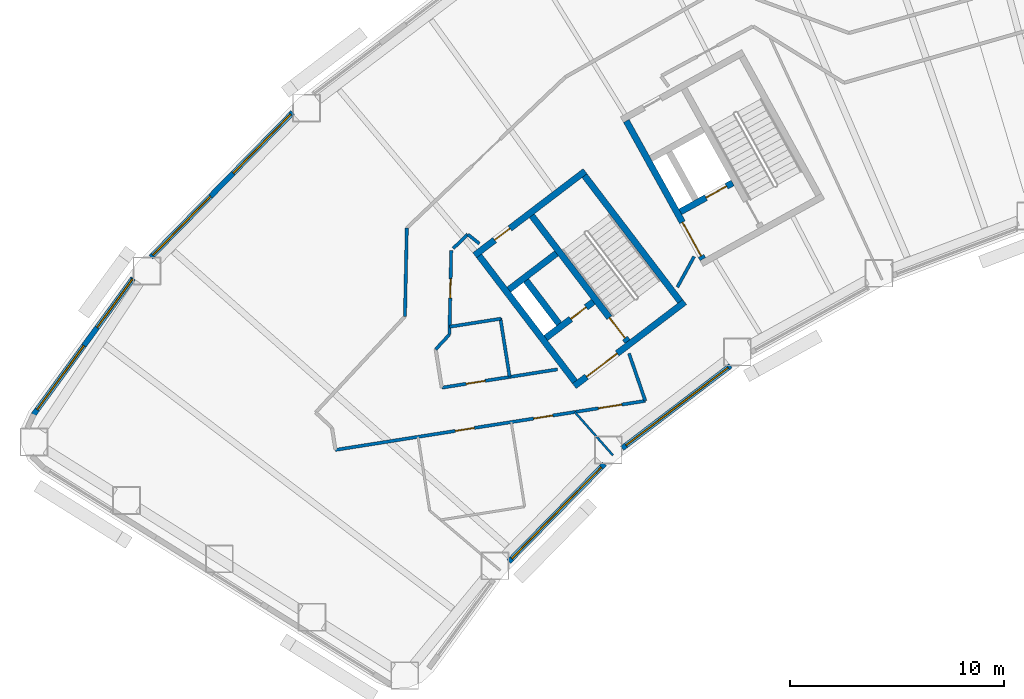
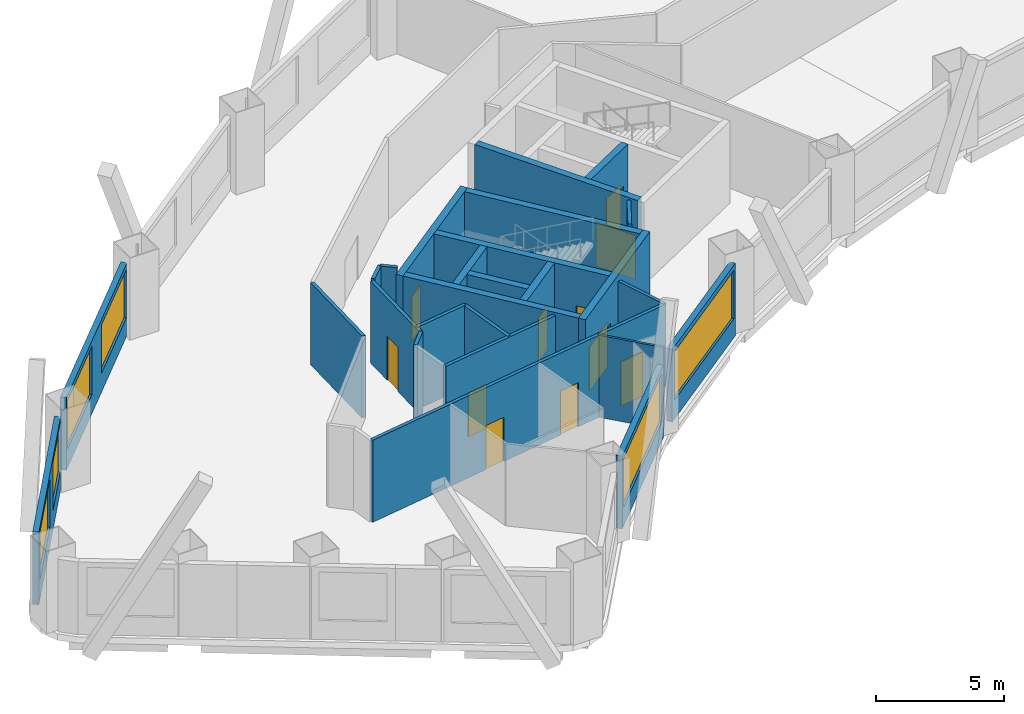
# One storey, part 3 of 11: 26 walls, 11 doors, 6 windows, 17 openings.
"""IFC4 building model written with IfcOpenShell, lengths in metres."""

from ifc_helpers import new_model, si_unit, direction, frame, frame_2d, origin, place, context, subcontext, project, spatial, rectangle, extrude, material, layer, layer_set, type_object, element, fill, save


model = new_model("IFC4")

# Units and contexts
model_context = context("Model", 3, precision=1e-05, world=origin(), true_north=direction((0.0, 1.0)))
body_context = subcontext(model_context, "Body", "Model", "MODEL_VIEW")
ifc_project = project(units=[si_unit("LENGTHUNIT", "METRE"), si_unit("AREAUNIT", "SQUARE_METRE"), si_unit("VOLUMEUNIT", "CUBIC_METRE"), si_unit("PLANEANGLEUNIT", "RADIAN"), si_unit("MASSUNIT", "GRAM", prefix="KILO")], contexts=[model_context])

# Site, building, storey
site_placement = place(None, origin())
site = spatial("IfcSite", under=ifc_project, at=site_placement, CompositionType="ELEMENT")
building_placement = place(site_placement, origin())
building = spatial("IfcBuilding", under=site, at=building_placement, Name="Tuul Gate Civic Tower", CompositionType="ELEMENT")
storey_placement = place(building_placement, frame((0.0, 0.0, 48.300048828125)))
storey = spatial("IfcBuildingStorey", under=building, at=storey_placement, Name="Level 10", CompositionType="ELEMENT", Elevation=48.300048828125)

# Wall, opening, door
ifc_material_1 = material(Name="Concrete C50/60", Category="concrete")
ifc_layer_1 = layer(ifc_material_1, 0.300048828125)
ifc_layer_set_1 = layer_set([ifc_layer_1], Name="Concrete C50/60")
wall_type_1 = type_object("IfcWallType", Name="Core wall C50/60", PredefinedType="SHEAR", material=ifc_layer_set_1)
wall_1_placement = place(storey_placement, frame((-31.19091796875, -13.669677734375, 0.0), z_axis=(0.0, 0.0, 1.0), x_axis=(-0.795606717756, -0.605813461934, 0.0)))
wall_1 = element("IfcWall", 1, at=wall_1_placement, inside=storey, type_object=wall_type_1, Name="Core wall", PredefinedType="SHEAR", context=body_context, shape_type="SweptSolid", body=[
    extrude(rectangle(XDim=6.5, YDim=0.300048828125, at=frame_2d((3.25, 0.0))), origin(), (0.0, 0.0, 1.0), 3.89990234375),
])
opening_1_placement = place(wall_1_placement, frame((3.97509765625, 0.0, 0.0)))
opening_1 = element("IfcOpeningElement", 2, at=opening_1_placement, cuts=wall_1, Name="Opening LB-W1-LOBBY-1", PredefinedType="OPENING", context=body_context, shape_type="SweptSolid", body=[
    extrude(rectangle(XDim=1.800048828125, YDim=2.10009765625, at=frame_2d((0.89990234375, 1.050048828125))), frame((0.0, 0.16015625, 0.0), z_axis=(0.0, -1.0, 0.0), x_axis=(1.0, 0.0, 0.0)), (0.0, 0.0, 1.0), 0.320068359375),
])
ifc_material_2 = material(Name="Steel", Category="steel")
door_type_1 = type_object("IfcDoorType", Name="Lobby door", OperationType="DOUBLE_DOOR_SINGLE_SWING", PredefinedType="DOOR", material=ifc_material_2)
door_1_placement = place(opening_1_placement, origin())
door_1 = element("IfcDoor", 3, at=door_1_placement, inside=storey, type_object=door_type_1, Name="Lobby door W1-LOBBY", OperationType="DOUBLE_DOOR_SINGLE_SWING", OverallHeight=2.10009765625, OverallWidth=1.800048828125, PredefinedType="DOOR", context=body_context, shape_type="SweptSolid", body=[
    extrude(rectangle(XDim=1.800048828125, YDim=2.10009765625, at=frame_2d((0.89990234375, 1.050048828125))), frame((0.0, 0.02490234375, 0.0), z_axis=(0.0, -1.0, 0.0), x_axis=(1.0, 0.0, 0.0)), (0.0, 0.0, 1.0), 0.050048828125),
])
fill(opening_1, door_1)

wall_2_placement = place(storey_placement, frame((-35.470947265625, -13.66064453125, 0.0), z_axis=(0.0, 0.0, 1.0), x_axis=(-0.795615822227, -0.605801504968, 0.0)))
wall_2 = element("IfcWall", 4, at=wall_2_placement, inside=storey, type_object=wall_type_1, Name="Core wall", PredefinedType="SHEAR", context=body_context, shape_type="SweptSolid", body=[
    extrude(rectangle(XDim=2.800048828125, YDim=0.300048828125, at=frame_2d((1.39990234375, 0.0))), origin(), (0.0, 0.0, 1.0), 3.89990234375),
])
opening_2_placement = place(wall_2_placement, frame((0.425048828125, 0.0, 0.0)))
opening_2 = element("IfcOpeningElement", 5, at=opening_2_placement, cuts=wall_2, Name="Opening FB-W1A1", PredefinedType="OPENING", context=body_context, shape_type="SweptSolid", body=[
    extrude(rectangle(XDim=0.89990234375, YDim=2.10009765625, at=frame_2d((0.449951171875, 1.050048828125))), frame((0.0, 0.16015625, 0.0), z_axis=(0.0, -1.0, 0.0), x_axis=(1.0, 0.0, 0.0)), (0.0, 0.0, 1.0), 0.320068359375),
])
ifc_material_3 = material(Name="Steel", Category="steel")
door_type_2 = type_object("IfcDoorType", Name="Store door", OperationType="NOTDEFINED", PredefinedType="DOOR", material=ifc_material_3)
door_2_placement = place(opening_2_placement, frame((0.89990234375, 0.0, 0.0), z_axis=(0.0, 0.0, 1.0), x_axis=(-1.0, 0.0, 0.0)))
door_2 = element("IfcDoor", 6, at=door_2_placement, inside=storey, type_object=door_type_2, Name="Store door W1A1", OperationType="SINGLE_SWING_RIGHT", OverallHeight=2.10009765625, OverallWidth=0.89990234375, PredefinedType="DOOR", context=body_context, shape_type="SweptSolid", body=[
    extrude(rectangle(XDim=0.89990234375, YDim=2.10009765625, at=frame_2d((0.449951171875, 1.050048828125))), frame((0.0, 0.02490234375, 0.0), z_axis=(0.0, -1.0, 0.0), x_axis=(1.0, 0.0, 0.0)), (0.0, 0.0, 1.0), 0.050048828125),
])
fill(opening_2, door_2)

# Wall
wall_3_placement = place(storey_placement, frame((-37.197509765625, -11.39306640625, 0.0), z_axis=(0.0, 0.0, 1.0), x_axis=(-0.795583820278, -0.605843531707, 0.0)))
element("IfcWall", 7, at=wall_3_placement, inside=storey, type_object=wall_type_1, Name="Core wall", PredefinedType="SHEAR", context=body_context, shape_type="SweptSolid", body=[
    extrude(rectangle(XDim=2.7998046875, YDim=0.300048828125, at=frame_2d((1.39990234375, 0.0))), origin(), (0.0, 0.0, 1.0), 3.89990234375),
])

# Wall, opening, door
wall_4_placement = place(storey_placement, frame((-35.855224609375, -7.543212890625, 0.0), z_axis=(0.0, 0.0, 1.0), x_axis=(-0.79563860527, -0.605771582202, 0.0)))
wall_4 = element("IfcWall", 8, at=wall_4_placement, inside=storey, type_object=wall_type_1, Name="Core wall", PredefinedType="SHEAR", context=body_context, shape_type="SweptSolid", body=[
    extrude(rectangle(XDim=6.5, YDim=0.300048828125, at=frame_2d((3.25, 0.0))), origin(), (0.0, 0.0, 1.0), 3.89990234375),
])
opening_3_placement = place(wall_4_placement, frame((4.425048828125, 0.0, 0.0)))
opening_3 = element("IfcOpeningElement", 9, at=opening_3_placement, cuts=wall_4, Name="Opening B-D17", PredefinedType="OPENING", context=body_context, shape_type="SweptSolid", body=[
    extrude(rectangle(XDim=0.89990234375, YDim=2.10009765625, at=frame_2d((0.449951171875, 1.050048828125))), frame((0.0, 0.16015625, 0.0), z_axis=(0.0, -1.0, 0.0), x_axis=(1.0, 0.0, 0.0)), (0.0, 0.0, 1.0), 0.320068359375),
])
ifc_material_4 = material(Name="Timber door leaf", Category="wood")
door_type_3 = type_object("IfcDoorType", Name="Door D09", OperationType="NOTDEFINED", PredefinedType="DOOR", material=ifc_material_4)
door_3_placement = place(opening_3_placement, origin())
door_3 = element("IfcDoor", 10, at=door_3_placement, inside=storey, type_object=door_type_3, Name="Door B-D17", OperationType="SINGLE_SWING_LEFT", OverallHeight=2.10009765625, OverallWidth=0.89990234375, PredefinedType="DOOR", context=body_context, shape_type="SweptSolid", body=[
    extrude(rectangle(XDim=0.89990234375, YDim=2.10009765625, at=frame_2d((0.449951171875, 1.050048828125))), frame((0.0, 0.02490234375, 0.0), z_axis=(0.0, -1.0, 0.0), x_axis=(1.0, 0.0, 0.0)), (0.0, 0.0, 1.0), 0.050048828125),
])
fill(opening_3, door_3)

# Wall
wall_5_placement = place(storey_placement, frame((-31.401123046875, -13.64111328125, 0.0), z_axis=(0.0, 0.0, 1.0), x_axis=(-0.605769822278, 0.795639945213, 0.0)))
element("IfcWall", 11, at=wall_5_placement, inside=storey, type_object=wall_type_1, Name="Core wall", PredefinedType="SHEAR", context=body_context, shape_type="SweptSolid", body=[
    extrude(rectangle(XDim=7.39990234375, YDim=0.300048828125, at=frame_2d((3.699951171875, 0.0))), origin(), (0.0, 0.0, 1.0), 3.89990234375),
])

# Wall, opening, door
wall_6_placement = place(storey_placement, frame((-33.867431640625, -15.51904296875, 0.0), z_axis=(0.0, 0.0, 1.0), x_axis=(-0.605769822278, 0.795639945213, 0.0)))
wall_6 = element("IfcWall", 12, at=wall_6_placement, inside=storey, type_object=wall_type_1, Name="Core wall", PredefinedType="SHEAR", context=body_context, shape_type="SweptSolid", body=[
    extrude(rectangle(XDim=7.39990234375, YDim=0.300048828125, at=frame_2d((3.699951171875, 0.0))), origin(), (0.0, 0.0, 1.0), 3.89990234375),
])
opening_4_placement = place(wall_6_placement, frame((0.199951171875, 0.0, 0.0)))
opening_4 = element("IfcOpeningElement", 13, at=opening_4_placement, cuts=wall_6, Name="Opening SD-ST-1", PredefinedType="OPENING", context=body_context, shape_type="SweptSolid", body=[
    extrude(rectangle(XDim=1.199951171875, YDim=2.10009765625, at=frame_2d((0.60009765625, 1.050048828125))), frame((0.0, 0.16015625, 0.0), z_axis=(0.0, -1.0, 0.0), x_axis=(1.0, 0.0, 0.0)), (0.0, 0.0, 1.0), 0.320068359375),
])
ifc_material_5 = material(Name="Steel", Category="steel")
door_type_4 = type_object("IfcDoorType", Name="Stair door", OperationType="NOTDEFINED", PredefinedType="DOOR", material=ifc_material_5)
door_4_placement = place(opening_4_placement, origin())
door_4 = element("IfcDoor", 14, at=door_4_placement, inside=storey, type_object=door_type_4, Name="Stair door ST-1", OperationType="SINGLE_SWING_LEFT", OverallHeight=2.10009765625, OverallWidth=1.199951171875, PredefinedType="DOOR", context=body_context, shape_type="SweptSolid", body=[
    extrude(rectangle(XDim=1.199951171875, YDim=2.10009765625, at=frame_2d((0.60009765625, 1.050048828125))), frame((0.0, 0.02490234375, 0.0), z_axis=(0.0, -1.0, 0.0), x_axis=(1.0, 0.0, 0.0)), (0.0, 0.0, 1.0), 0.050048828125),
])
fill(opening_4, door_4)

# Walls
wall_7_placement = place(storey_placement, frame((-37.073486328125, -14.6923828125, 0.0), z_axis=(0.0, 0.0, 1.0), x_axis=(-0.605728760074, 0.79567120673, 0.0)))
element("IfcWall", 15, at=wall_7_placement, inside=storey, type_object=wall_type_1, Name="Core wall", PredefinedType="SHEAR", context=body_context, shape_type="SweptSolid", body=[
    extrude(rectangle(XDim=2.550048828125, YDim=0.300048828125, at=frame_2d((1.27490234375, 0.0))), origin(), (0.0, 0.0, 1.0), 3.89990234375),
])
wall_8_placement = place(storey_placement, frame((-36.333984375, -17.397216796875, 0.0), z_axis=(0.0, 0.0, 1.0), x_axis=(-0.605753921168, 0.795652051458, 0.0)))
element("IfcWall", 16, at=wall_8_placement, inside=storey, type_object=wall_type_1, Name="Core wall", PredefinedType="SHEAR", context=body_context, shape_type="SweptSolid", body=[
    extrude(rectangle(XDim=7.400146484375, YDim=0.300048828125, at=frame_2d((3.7001953125, 0.0))), origin(), (0.0, 0.0, 1.0), 3.89990234375),
])

# Wall, opening, door
wall_9_placement = place(storey_placement, frame((-28.94580078125, -8.090087890625, 0.0), z_axis=(0.0, 0.0, 1.0), x_axis=(-0.874629840737, -0.484791338301, 0.0)))
wall_9 = element("IfcWall", 17, at=wall_9_placement, inside=storey, type_object=wall_type_1, Name="Core wall", PredefinedType="SHEAR", context=body_context, shape_type="SweptSolid", body=[
    extrude(rectangle(XDim=2.800048828125, YDim=0.300048828125, at=frame_2d((1.39990234375, 0.0))), origin(), (0.0, 0.0, 1.0), 3.89990234375),
])
opening_5_placement = place(wall_9_placement, frame((0.324951171875, 0.0, 0.0)))
opening_5 = element("IfcOpeningElement", 18, at=opening_5_placement, cuts=wall_9, Name="Opening LD-FF-1", PredefinedType="OPENING", context=body_context, shape_type="SweptSolid", body=[
    extrude(rectangle(XDim=1.10009765625, YDim=2.10009765625, at=frame_2d((0.550048828125, 1.050048828125))), frame((0.0, 0.16015625, 0.0), z_axis=(0.0, -1.0, 0.0), x_axis=(1.0, 0.0, 0.0)), (0.0, 0.0, 1.0), 0.320068359375),
])
ifc_material_6 = material(Name="Stainless steel", Category="steel")
door_type_5 = type_object("IfcDoorType", Name="Landing door", OperationType="DOUBLE_DOOR_SLIDING", PredefinedType="DOOR", material=ifc_material_6)
door_5_placement = place(opening_5_placement, origin())
door_5 = element("IfcDoor", 19, at=door_5_placement, inside=storey, type_object=door_type_5, Name="Fire-fighting lift FF-1 landing door", OperationType="DOUBLE_DOOR_SLIDING", OverallHeight=2.10009765625, OverallWidth=1.10009765625, PredefinedType="DOOR", context=body_context, shape_type="SweptSolid", body=[
    extrude(rectangle(XDim=1.10009765625, YDim=2.10009765625, at=frame_2d((0.550048828125, 1.050048828125))), frame((0.0, 0.02490234375, 0.0), z_axis=(0.0, -1.0, 0.0), x_axis=(1.0, 0.0, 0.0)), (0.0, 0.0, 1.0), 0.050048828125),
])
fill(opening_5, door_5)

wall_10_placement = place(storey_placement, frame((-30.33837890625, -11.6630859375, 0.0), z_axis=(0.0, 0.0, 1.0), x_axis=(-0.484751894226, 0.874651702704, 0.0)))
wall_10 = element("IfcWall", 20, at=wall_10_placement, inside=storey, type_object=wall_type_1, Name="Core wall", PredefinedType="SHEAR", context=body_context, shape_type="SweptSolid", body=[
    extrude(rectangle(XDim=7.39990234375, YDim=0.300048828125, at=frame_2d((3.699951171875, 0.0))), origin(), (0.0, 0.0, 1.0), 3.89990234375),
])
opening_6_placement = place(wall_10_placement, frame((0.175048828125, 0.0, 0.0)))
opening_6 = element("IfcOpeningElement", 21, at=opening_6_placement, cuts=wall_10, Name="Opening LB-W2-FLOBBY-1", PredefinedType="OPENING", context=body_context, shape_type="SweptSolid", body=[
    extrude(rectangle(XDim=1.800048828125, YDim=2.10009765625, at=frame_2d((0.89990234375, 1.050048828125))), frame((0.0, 0.16015625, 0.0), z_axis=(0.0, -1.0, 0.0), x_axis=(1.0, 0.0, 0.0)), (0.0, 0.0, 1.0), 0.320068359375),
])
door_6_placement = place(opening_6_placement, frame((1.800048828125, 0.0, 0.0), z_axis=(0.0, 0.0, 1.0), x_axis=(-1.0, 0.0, 0.0)))
door_6 = element("IfcDoor", 22, at=door_6_placement, inside=storey, type_object=door_type_1, Name="Lobby door W2-FLOBBY", OperationType="DOUBLE_DOOR_SINGLE_SWING", OverallHeight=2.10009765625, OverallWidth=1.800048828125, PredefinedType="DOOR", context=body_context, shape_type="SweptSolid", body=[
    extrude(rectangle(XDim=1.800048828125, YDim=2.10009765625, at=frame_2d((0.900146484375, 1.050048828125))), frame((0.0, 0.02490234375, 0.0), z_axis=(0.0, -1.0, 0.0), x_axis=(1.0, 0.0, 0.0)), (0.0, 0.0, 1.0), 0.050048828125),
])
fill(opening_6, door_6)

# Wall, openings, doors
ifc_material_7 = material(Name="Gypsum board partition")
ifc_layer_2 = layer(ifc_material_7, 0.14990234375)
ifc_layer_set_2 = layer_set([ifc_layer_2], Name="Gypsum board partition")
wall_type_2 = type_object("IfcWallType", Name="Corridor wall P150", PredefinedType="PARTITIONING", material=ifc_layer_set_2)
wall_11_placement = place(storey_placement, frame((-47.546142578125, -20.59619140625, 0.0), z_axis=(0.0, 0.0, 1.0), x_axis=(0.987707387787, 0.156314158386, 0.0)))
wall_11 = element("IfcWall", 23, at=wall_11_placement, inside=storey, type_object=wall_type_2, Name="p035", PredefinedType="PARTITIONING", context=body_context, shape_type="SweptSolid", body=[
    extrude(rectangle(XDim=14.69091796875, YDim=0.14990234375, at=frame_2d((7.345458984375, 0.0))), origin(), (0.0, 0.0, 1.0), 3.89990234375),
])
opening_7_placement = place(wall_11_placement, frame((5.675048828125, 0.0, 0.0)))
opening_7 = element("IfcOpeningElement", 24, at=opening_7_placement, cuts=wall_11, Name="Opening B-D11", PredefinedType="OPENING", context=body_context, shape_type="SweptSolid", body=[
    extrude(rectangle(XDim=0.89990234375, YDim=2.10009765625, at=frame_2d((0.449951171875, 1.050048828125))), frame((0.0, 0.0849609375, 0.0), z_axis=(0.0, -1.0, 0.0), x_axis=(1.0, 0.0, 0.0)), (0.0, 0.0, 1.0), 0.169921875),
])
opening_8_placement = place(wall_11_placement, frame((9.39404296875, 0.0, 0.0)))
opening_8 = element("IfcOpeningElement", 25, at=opening_8_placement, cuts=wall_11, Name="Opening B-D13", PredefinedType="OPENING", context=body_context, shape_type="SweptSolid", body=[
    extrude(rectangle(XDim=0.89990234375, YDim=2.10009765625, at=frame_2d((0.449951171875, 1.050048828125))), frame((0.0, 0.0849609375, 0.0), z_axis=(0.0, -1.0, 0.0), x_axis=(1.0, 0.0, 0.0)), (0.0, 0.0, 1.0), 0.169921875),
])
opening_9_placement = place(wall_11_placement, frame((12.468505859375, 0.0, 0.0)))
opening_9 = element("IfcOpeningElement", 26, at=opening_9_placement, cuts=wall_11, Name="Opening B-D16", PredefinedType="OPENING", context=body_context, shape_type="SweptSolid", body=[
    extrude(rectangle(XDim=1.10009765625, YDim=2.10009765625, at=frame_2d((0.550048828125, 1.050048828125))), frame((0.0, 0.0849609375, 0.0), z_axis=(0.0, -1.0, 0.0), x_axis=(1.0, 0.0, 0.0)), (0.0, 0.0, 1.0), 0.169921875),
])
door_7_placement = place(opening_7_placement, frame((0.89990234375, 0.0, 0.0), z_axis=(0.0, 0.0, 1.0), x_axis=(-1.0, 0.0, 0.0)))
door_7 = element("IfcDoor", 27, at=door_7_placement, inside=storey, type_object=door_type_3, Name="Door B-D11", OperationType="SINGLE_SWING_LEFT", OverallHeight=2.10009765625, OverallWidth=0.89990234375, PredefinedType="DOOR", context=body_context, shape_type="SweptSolid", body=[
    extrude(rectangle(XDim=0.89990234375, YDim=2.10009765625, at=frame_2d((0.449951171875, 1.050048828125))), frame((0.0, 0.02490234375, 0.0), z_axis=(0.0, -1.0, 0.0), x_axis=(1.0, 0.0, 0.0)), (0.0, 0.0, 1.0), 0.050048828125),
])
fill(opening_7, door_7)
door_8_placement = place(opening_8_placement, frame((0.89990234375, 0.0, 0.0), z_axis=(0.0, 0.0, 1.0), x_axis=(-1.0, 0.0, 0.0)))
door_8 = element("IfcDoor", 28, at=door_8_placement, inside=storey, type_object=door_type_3, Name="Door B-D13", OperationType="SINGLE_SWING_RIGHT", OverallHeight=2.10009765625, OverallWidth=0.89990234375, PredefinedType="DOOR", context=body_context, shape_type="SweptSolid", body=[
    extrude(rectangle(XDim=0.89990234375, YDim=2.10009765625, at=frame_2d((0.449951171875, 1.050048828125))), frame((0.0, 0.02490234375, 0.0), z_axis=(0.0, -1.0, 0.0), x_axis=(1.0, 0.0, 0.0)), (0.0, 0.0, 1.0), 0.050048828125),
])
fill(opening_8, door_8)
ifc_material_8 = material(Name="Timber door leaf", Category="wood")
door_type_6 = type_object("IfcDoorType", Name="Door D11", OperationType="NOTDEFINED", PredefinedType="DOOR", material=ifc_material_8)
door_9_placement = place(opening_9_placement, frame((1.10009765625, 0.0, 0.0), z_axis=(0.0, 0.0, 1.0), x_axis=(-1.0, 0.0, 0.0)))
door_9 = element("IfcDoor", 29, at=door_9_placement, inside=storey, type_object=door_type_6, Name="Door B-D16", OperationType="SINGLE_SWING_RIGHT", OverallHeight=2.10009765625, OverallWidth=1.10009765625, PredefinedType="DOOR", context=body_context, shape_type="SweptSolid", body=[
    extrude(rectangle(XDim=1.10009765625, YDim=2.10009765625, at=frame_2d((0.550048828125, 1.050048828125))), frame((0.0, 0.02490234375, 0.0), z_axis=(0.0, -1.0, 0.0), x_axis=(1.0, 0.0, 0.0)), (0.0, 0.0, 1.0), 0.050048828125),
])
fill(opening_9, door_9)

# Walls
wall_12_placement = place(storey_placement, frame((-44.291259765625, -14.34033203125, 0.0), z_axis=(0.0, 0.0, 1.0), x_axis=(0.020653092472, 0.999786702138, 0.0)))
element("IfcWall", 30, at=wall_12_placement, inside=storey, type_object=wall_type_2, Name="p038", PredefinedType="PARTITIONING", context=body_context, shape_type="SweptSolid", body=[
    extrude(rectangle(XDim=4.137451171875, YDim=0.14990234375, at=frame_2d((2.06884765625, 0.0))), origin(), (0.0, 0.0, 1.0), 3.89990234375),
])
wall_13_placement = place(storey_placement, frame((-33.797607421875, -16.077392578125, 0.0), z_axis=(0.0, 0.0, 1.0), x_axis=(0.324510337468, -0.945882149571, 0.0)))
element("IfcWall", 31, at=wall_13_placement, inside=storey, type_object=wall_type_2, Name="p048", PredefinedType="PARTITIONING", context=body_context, shape_type="SweptSolid", body=[
    extrude(rectangle(XDim=2.348876953125, YDim=0.14990234375, at=frame_2d((1.17431640625, 0.0))), origin(), (0.0, 0.0, 1.0), 3.89990234375),
])
wall_14_placement = place(storey_placement, frame((-31.532958984375, -12.971435546875, 0.0), z_axis=(0.0, 0.0, 1.0), x_axis=(0.480067911301, 0.877231326697, 0.0)))
element("IfcWall", 32, at=wall_14_placement, inside=storey, type_object=wall_type_2, Name="p049", PredefinedType="PARTITIONING", context=body_context, shape_type="SweptSolid", body=[
    extrude(rectangle(XDim=1.63134765625, YDim=0.14990234375, at=frame_2d((0.815673828125, 0.0))), origin(), (0.0, 0.0, 1.0), 3.89990234375),
])
wall_15_placement = place(storey_placement, frame((-42.852783203125, -15.885009765625, 0.0), z_axis=(0.0, 0.0, 1.0), x_axis=(0.681609338195, 0.73171627704, 0.0)))
element("IfcWall", 33, at=wall_15_placement, inside=storey, type_object=wall_type_2, Name="p056", PredefinedType="PARTITIONING", context=body_context, shape_type="SweptSolid", body=[
    extrude(rectangle(XDim=0.9453125, YDim=0.14990234375, at=frame_2d((0.47265625, 0.0))), origin(), (0.0, 0.0, 1.0), 3.89990234375),
])

# Wall, opening, door
wall_16_placement = place(storey_placement, frame((-42.20849609375, -15.193359375, 0.0), z_axis=(0.0, 0.0, 1.0), x_axis=(0.020844316115, 0.999782733641, 0.0)))
wall_16 = element("IfcWall", 34, at=wall_16_placement, inside=storey, type_object=wall_type_2, Name="p057", PredefinedType="PARTITIONING", context=body_context, shape_type="SweptSolid", body=[
    extrude(rectangle(XDim=3.935546875, YDim=0.14990234375, at=frame_2d((1.9677734375, 0.0))), origin(), (0.0, 0.0, 1.0), 3.89990234375),
])
opening_10_placement = place(wall_16_placement, frame((1.7119140625, 0.0, 0.0)))
opening_10 = element("IfcOpeningElement", 35, at=opening_10_placement, cuts=wall_16, Name="Opening B-D14", PredefinedType="OPENING", context=body_context, shape_type="SweptSolid", body=[
    extrude(rectangle(XDim=0.89990234375, YDim=2.10009765625, at=frame_2d((0.449951171875, 1.050048828125))), frame((0.0, 0.0849609375, 0.0), z_axis=(0.0, -1.0, 0.0), x_axis=(1.0, 0.0, 0.0)), (0.0, 0.0, 1.0), 0.169921875),
])
door_10_placement = place(opening_10_placement, frame((0.89990234375, 0.0, 0.0), z_axis=(0.0, 0.0, 1.0), x_axis=(-1.0, 0.0, 0.0)))
door_10 = element("IfcDoor", 36, at=door_10_placement, inside=storey, type_object=door_type_3, Name="Door B-D14", OperationType="SINGLE_SWING_RIGHT", OverallHeight=2.10009765625, OverallWidth=0.89990234375, PredefinedType="DOOR", context=body_context, shape_type="SweptSolid", body=[
    extrude(rectangle(XDim=0.89990234375, YDim=2.10009765625, at=frame_2d((0.449951171875, 1.050048828125))), frame((0.0, 0.02490234375, 0.0), z_axis=(0.0, -1.0, 0.0), x_axis=(1.0, 0.0, 0.0)), (0.0, 0.0, 1.0), 0.050048828125),
])
fill(opening_10, door_10)

# Walls
wall_17_placement = place(storey_placement, frame((-42.200927734375, -14.829833984375, 0.0), z_axis=(0.0, 0.0, 1.0), x_axis=(0.987711638191, 0.156287298848, 0.0)))
element("IfcWall", 37, at=wall_17_placement, inside=storey, type_object=wall_type_2, Name="p058", PredefinedType="PARTITIONING", context=body_context, shape_type="SweptSolid", body=[
    extrude(rectangle(XDim=2.43212890625, YDim=0.14990234375, at=frame_2d((1.216064453125, 0.0))), origin(), (0.0, 0.0, 1.0), 3.89990234375),
])
wall_18_placement = place(storey_placement, frame((-39.82275390625, -14.43212890625, 0.0), z_axis=(0.0, 0.0, 1.0), x_axis=(0.156350251812, -0.98770167498, 0.0)))
element("IfcWall", 38, at=wall_18_placement, inside=storey, type_object=wall_type_2, Name="p059", PredefinedType="PARTITIONING", context=body_context, shape_type="SweptSolid", body=[
    extrude(rectangle(XDim=2.781005859375, YDim=0.14990234375, at=frame_2d((1.390625, 0.0))), origin(), (0.0, 0.0, 1.0), 3.89990234375),
])

# Wall, opening, door
wall_19_placement = place(storey_placement, frame((-42.568359375, -17.682373046875, 0.0), z_axis=(0.0, 0.0, 1.0), x_axis=(0.987706271682, 0.156321210588, 0.0)))
wall_19 = element("IfcWall", 39, at=wall_19_placement, inside=storey, type_object=wall_type_2, Name="p060", PredefinedType="PARTITIONING", context=body_context, shape_type="SweptSolid", body=[
    extrude(rectangle(XDim=5.488037109375, YDim=0.14990234375, at=frame_2d((2.744140625, 0.0))), origin(), (0.0, 0.0, 1.0), 3.89990234375),
])
opening_11_placement = place(wall_19_placement, frame((1.159912109375, 0.0, 0.0)))
opening_11 = element("IfcOpeningElement", 40, at=opening_11_placement, cuts=wall_19, Name="Opening B-D12", PredefinedType="OPENING", context=body_context, shape_type="SweptSolid", body=[
    extrude(rectangle(XDim=0.89990234375, YDim=2.10009765625, at=frame_2d((0.449951171875, 1.050048828125))), frame((0.0, 0.0849609375, 0.0), z_axis=(0.0, -1.0, 0.0), x_axis=(1.0, 0.0, 0.0)), (0.0, 0.0, 1.0), 0.169921875),
])
door_11_placement = place(opening_11_placement, origin())
door_11 = element("IfcDoor", 41, at=door_11_placement, inside=storey, type_object=door_type_3, Name="Door B-D12", OperationType="SINGLE_SWING_RIGHT", OverallHeight=2.10009765625, OverallWidth=0.89990234375, PredefinedType="DOOR", context=body_context, shape_type="SweptSolid", body=[
    extrude(rectangle(XDim=0.89990234375, YDim=2.10009765625, at=frame_2d((0.449951171875, 1.050048828125))), frame((0.0, 0.02490234375, 0.0), z_axis=(0.0, -1.0, 0.0), x_axis=(1.0, 0.0, 0.0)), (0.0, 0.0, 1.0), 0.050048828125),
])
fill(opening_11, door_11)

# Walls
wall_20_placement = place(storey_placement, frame((-41.3466796875, -10.502685546875, 0.0), z_axis=(0.0, 0.0, 1.0), x_axis=(0.780215151957, -0.625511244229, 0.0)))
element("IfcWall", 42, at=wall_20_placement, inside=storey, type_object=wall_type_2, Name="p063", PredefinedType="PARTITIONING", context=body_context, shape_type="SweptSolid", body=[
    extrude(rectangle(XDim=0.69287109375, YDim=0.14990234375, at=frame_2d((0.346435546875, 0.0))), origin(), (0.0, 0.0, 1.0), 3.89990234375),
])
wall_21_placement = place(storey_placement, frame((-42.031982421875, -11.1591796875, 0.0), z_axis=(0.0, 0.0, 1.0), x_axis=(0.722122058675, 0.691765662906, 0.0)))
element("IfcWall", 43, at=wall_21_placement, inside=storey, type_object=wall_type_2, Name="p064", PredefinedType="PARTITIONING", context=body_context, shape_type="SweptSolid", body=[
    extrude(rectangle(XDim=0.948974609375, YDim=0.14990234375, at=frame_2d((0.474609375, 0.0))), origin(), (0.0, 0.0, 1.0), 3.89990234375),
])

# Wall, openings, windows
ifc_material_9 = material(Name="Precast concrete C40/50", Category="concrete")
ifc_layer_3 = layer(ifc_material_9, 0.25)
ifc_layer_set_3 = layer_set([ifc_layer_3], Name="Precast concrete C40/50")
wall_type_3 = type_object("IfcWallType", Name="External wall", PredefinedType="STANDARD", material=ifc_layer_set_3)
wall_22_placement = place(storey_placement, frame((-49.548095703125, -4.791748046875, 0.0), z_axis=(0.0, 0.0, 1.0), x_axis=(-0.699994476854, -0.714148256578, 0.0)))
wall_22 = element("IfcWall", 44, at=wall_22_placement, inside=storey, type_object=wall_type_3, Name="External wall", PredefinedType="STANDARD", context=body_context, shape_type="SweptSolid", body=[
    extrude(rectangle(XDim=9.487060546875, YDim=0.25, at=frame_2d((4.74365234375, 0.0))), origin(), (0.0, 0.0, 1.0), 3.449951171875),
])
opening_12_placement = place(wall_22_placement, frame((0.13037109375, 0.0, 0.89990234375)))
opening_12 = element("IfcOpeningElement", 45, at=opening_12_placement, cuts=wall_22, Name="Opening W22", PredefinedType="OPENING", context=body_context, shape_type="SweptSolid", body=[
    extrude(rectangle(XDim=3.85009765625, YDim=2.300048828125, at=frame_2d((1.925048828125, 1.14990234375))), frame((0.0, 0.135009765625, 0.0), z_axis=(0.0, -1.0, 0.0), x_axis=(1.0, 0.0, 0.0)), (0.0, 0.0, 1.0), 0.27001953125),
])
opening_13_placement = place(wall_22_placement, frame((5.501708984375, 0.0, 0.89990234375)))
opening_13 = element("IfcOpeningElement", 46, at=opening_13_placement, cuts=wall_22, Name="Opening W22", PredefinedType="OPENING", context=body_context, shape_type="SweptSolid", body=[
    extrude(rectangle(XDim=3.85009765625, YDim=2.300048828125, at=frame_2d((1.925048828125, 1.14990234375))), frame((0.0, 0.135009765625, 0.0), z_axis=(0.0, -1.0, 0.0), x_axis=(1.0, 0.0, 0.0)), (0.0, 0.0, 1.0), 0.27001953125),
])
ifc_material_10 = material(Name="Glass", Category="glass")
window_type_1 = type_object("IfcWindowType", Name="Window W22 3850 x 2300", PartitioningType="SINGLE_PANEL", PredefinedType="WINDOW", material=ifc_material_10)
window_1_placement = place(opening_12_placement, origin())
window_1 = element("IfcWindow", 47, at=window_1_placement, inside=storey, type_object=window_type_1, Name="Window", OverallHeight=2.300048828125, OverallWidth=3.85009765625, PartitioningType="SINGLE_PANEL", PredefinedType="WINDOW", context=body_context, shape_type="SweptSolid", body=[
    extrude(rectangle(XDim=3.85009765625, YDim=2.300048828125, at=frame_2d((1.925048828125, 1.14990234375))), frame((0.0, 0.030029296875, 0.0), z_axis=(0.0, -1.0, 0.0), x_axis=(1.0, 0.0, 0.0)), (0.0, 0.0, 1.0), 0.06005859375),
])
fill(opening_12, window_1)
window_2_placement = place(opening_13_placement, origin())
window_2 = element("IfcWindow", 48, at=window_2_placement, inside=storey, type_object=window_type_1, Name="Window", OverallHeight=2.300048828125, OverallWidth=3.85009765625, PartitioningType="SINGLE_PANEL", PredefinedType="WINDOW", context=body_context, shape_type="SweptSolid", body=[
    extrude(rectangle(XDim=3.85009765625, YDim=2.300048828125, at=frame_2d((1.925048828125, 1.14990234375))), frame((0.0, 0.030029296875, 0.0), z_axis=(0.0, -1.0, 0.0), x_axis=(1.0, 0.0, 0.0)), (0.0, 0.0, 1.0), 0.06005859375),
])
fill(opening_13, window_2)

wall_23_placement = place(storey_placement, frame((-57.02197265625, -12.556884765625, 0.0), z_axis=(0.0, 0.0, 1.0), x_axis=(-0.589806928208, -0.807544294412, 0.0)))
wall_23 = element("IfcWall", 49, at=wall_23_placement, inside=storey, type_object=wall_type_3, Name="External wall", PredefinedType="STANDARD", context=body_context, shape_type="SweptSolid", body=[
    extrude(rectangle(XDim=7.912841796875, YDim=0.25, at=frame_2d((3.95654296875, 0.0))), origin(), (0.0, 0.0, 1.0), 3.449951171875),
])
opening_14_placement = place(wall_23_placement, frame((0.060791015625, 0.0, 0.89990234375)))
opening_14 = element("IfcOpeningElement", 50, at=opening_14_placement, cuts=wall_23, Name="Opening W23", PredefinedType="OPENING", context=body_context, shape_type="SweptSolid", body=[
    extrude(rectangle(XDim=2.800048828125, YDim=2.300048828125, at=frame_2d((1.39990234375, 1.14990234375))), frame((0.0, 0.135009765625, 0.0), z_axis=(0.0, -1.0, 0.0), x_axis=(1.0, 0.0, 0.0)), (0.0, 0.0, 1.0), 0.27001953125),
])
opening_15_placement = place(wall_23_placement, frame((3.912109375, 0.0, 0.89990234375)))
opening_15 = element("IfcOpeningElement", 51, at=opening_15_placement, cuts=wall_23, Name="Opening W21", PredefinedType="OPENING", context=body_context, shape_type="SweptSolid", body=[
    extrude(rectangle(XDim=3.699951171875, YDim=2.300048828125, at=frame_2d((1.85009765625, 1.14990234375))), frame((0.0, 0.135009765625, 0.0), z_axis=(0.0, -1.0, 0.0), x_axis=(1.0, 0.0, 0.0)), (0.0, 0.0, 1.0), 0.27001953125),
])
ifc_material_11 = material(Name="Glass", Category="glass")
window_type_2 = type_object("IfcWindowType", Name="Window W21 3700 x 2300", PartitioningType="SINGLE_PANEL", PredefinedType="WINDOW", material=ifc_material_11)
window_3_placement = place(opening_15_placement, origin())
window_3 = element("IfcWindow", 52, at=window_3_placement, inside=storey, type_object=window_type_2, Name="Window", OverallHeight=2.300048828125, OverallWidth=3.699951171875, PartitioningType="SINGLE_PANEL", PredefinedType="WINDOW", context=body_context, shape_type="SweptSolid", body=[
    extrude(rectangle(XDim=3.699951171875, YDim=2.300048828125, at=frame_2d((1.85009765625, 1.14990234375))), frame((0.0, 0.030029296875, 0.0), z_axis=(0.0, -1.0, 0.0), x_axis=(1.0, 0.0, 0.0)), (0.0, 0.0, 1.0), 0.06005859375),
])
fill(opening_15, window_3)
ifc_material_12 = material(Name="Glass", Category="glass")
window_type_3 = type_object("IfcWindowType", Name="Window W23 2800 x 2300", PartitioningType="SINGLE_PANEL", PredefinedType="WINDOW", material=ifc_material_12)
window_4_placement = place(opening_14_placement, origin())
window_4 = element("IfcWindow", 53, at=window_4_placement, inside=storey, type_object=window_type_3, Name="Window", OverallHeight=2.300048828125, OverallWidth=2.800048828125, PartitioningType="SINGLE_PANEL", PredefinedType="WINDOW", context=body_context, shape_type="SweptSolid", body=[
    extrude(rectangle(XDim=2.800048828125, YDim=2.300048828125, at=frame_2d((1.39990234375, 1.14990234375))), frame((0.0, 0.030029296875, 0.0), z_axis=(0.0, -1.0, 0.0), x_axis=(1.0, 0.0, 0.0)), (0.0, 0.0, 1.0), 0.06005859375),
])
fill(opening_14, window_4)

# Wall, opening, window
wall_24_placement = place(storey_placement, frame((-39.430908203125, -25.827392578125, 0.0), z_axis=(0.0, 0.0, 1.0), x_axis=(0.699998211198, 0.714144596227, 0.0)))
wall_24 = element("IfcWall", 54, at=wall_24_placement, inside=storey, type_object=wall_type_3, Name="External wall", PredefinedType="STANDARD", context=body_context, shape_type="SweptSolid", body=[
    extrude(rectangle(XDim=6.40283203125, YDim=0.25, at=frame_2d((3.201416015625, 0.0))), origin(), (0.0, 0.0, 1.0), 3.449951171875),
])
opening_16_placement = place(wall_24_placement, frame((0.19873046875, 0.0, 0.89990234375)))
opening_16 = element("IfcOpeningElement", 55, at=opening_16_placement, cuts=wall_24, Name="Opening W26", PredefinedType="OPENING", context=body_context, shape_type="SweptSolid", body=[
    extrude(rectangle(XDim=6.0, YDim=2.300048828125, at=frame_2d((3.0, 1.14990234375))), frame((0.0, 0.135009765625, 0.0), z_axis=(0.0, -1.0, 0.0), x_axis=(1.0, 0.0, 0.0)), (0.0, 0.0, 1.0), 0.27001953125),
])
ifc_material_13 = material(Name="Glass", Category="glass")
window_type_4 = type_object("IfcWindowType", Name="Window W26 6000 x 2300", PartitioningType="SINGLE_PANEL", PredefinedType="WINDOW", material=ifc_material_13)
window_5_placement = place(opening_16_placement, origin())
window_5 = element("IfcWindow", 56, at=window_5_placement, inside=storey, type_object=window_type_4, Name="Window", OverallHeight=2.300048828125, OverallWidth=6.0, PartitioningType="SINGLE_PANEL", PredefinedType="WINDOW", context=body_context, shape_type="SweptSolid", body=[
    extrude(rectangle(XDim=6.0, YDim=2.300048828125, at=frame_2d((3.0, 1.14990234375))), frame((0.0, 0.030029296875, 0.0), z_axis=(0.0, -1.0, 0.0), x_axis=(1.0, 0.0, 0.0)), (0.0, 0.0, 1.0), 0.06005859375),
])
fill(opening_16, window_5)

wall_25_placement = place(storey_placement, frame((-34.116943359375, -20.5185546875, 0.0), z_axis=(0.0, 0.0, 1.0), x_axis=(0.795571471624, 0.605859747416, 0.0)))
wall_25 = element("IfcWall", 57, at=wall_25_placement, inside=storey, type_object=wall_type_3, Name="External wall", PredefinedType="STANDARD", context=body_context, shape_type="SweptSolid", body=[
    extrude(rectangle(XDim=6.375244140625, YDim=0.25, at=frame_2d((3.1875, 0.0))), origin(), (0.0, 0.0, 1.0), 3.449951171875),
])
opening_17_placement = place(wall_25_placement, frame((0.226806640625, 0.0, 0.89990234375)))
opening_17 = element("IfcOpeningElement", 58, at=opening_17_placement, cuts=wall_25, Name="Opening W26", PredefinedType="OPENING", context=body_context, shape_type="SweptSolid", body=[
    extrude(rectangle(XDim=6.0, YDim=2.300048828125, at=frame_2d((3.0, 1.14990234375))), frame((0.0, 0.135009765625, 0.0), z_axis=(0.0, -1.0, 0.0), x_axis=(1.0, 0.0, 0.0)), (0.0, 0.0, 1.0), 0.27001953125),
])
window_6_placement = place(opening_17_placement, origin())
window_6 = element("IfcWindow", 59, at=window_6_placement, inside=storey, type_object=window_type_4, Name="Window", OverallHeight=2.300048828125, OverallWidth=6.0, PartitioningType="SINGLE_PANEL", PredefinedType="WINDOW", context=body_context, shape_type="SweptSolid", body=[
    extrude(rectangle(XDim=6.0, YDim=2.300048828125, at=frame_2d((3.0, 1.14990234375))), frame((0.0, 0.030029296875, 0.0), z_axis=(0.0, -1.0, 0.0), x_axis=(1.0, 0.0, 0.0)), (0.0, 0.0, 1.0), 0.06005859375),
])
fill(opening_17, window_6)

# Wall
ifc_material_14 = material(Name="Gypsum board partition")
ifc_layer_4 = layer(ifc_material_14, 0.10009765625)
ifc_layer_set_4 = layer_set([ifc_layer_4], Name="Gypsum board partition")
wall_type_4 = type_object("IfcWallType", Name="Partition P100", PredefinedType="PARTITIONING", material=ifc_layer_set_4)
wall_26_placement = place(storey_placement, frame((-36.33935546875, -18.822509765625, 0.0), z_axis=(0.0, 0.0, 1.0), x_axis=(0.661690219686, -0.749777335728, 0.0)))
element("IfcWall", 60, at=wall_26_placement, inside=storey, type_object=wall_type_4, Name="p052", PredefinedType="PARTITIONING", context=body_context, shape_type="SweptSolid", body=[
    extrude(rectangle(XDim=2.707763671875, YDim=0.10009765625, at=frame_2d((1.35400390625, 0.0))), origin(), (0.0, 0.0, 1.0), 3.89990234375),
])

save(model, "model.ifc")
